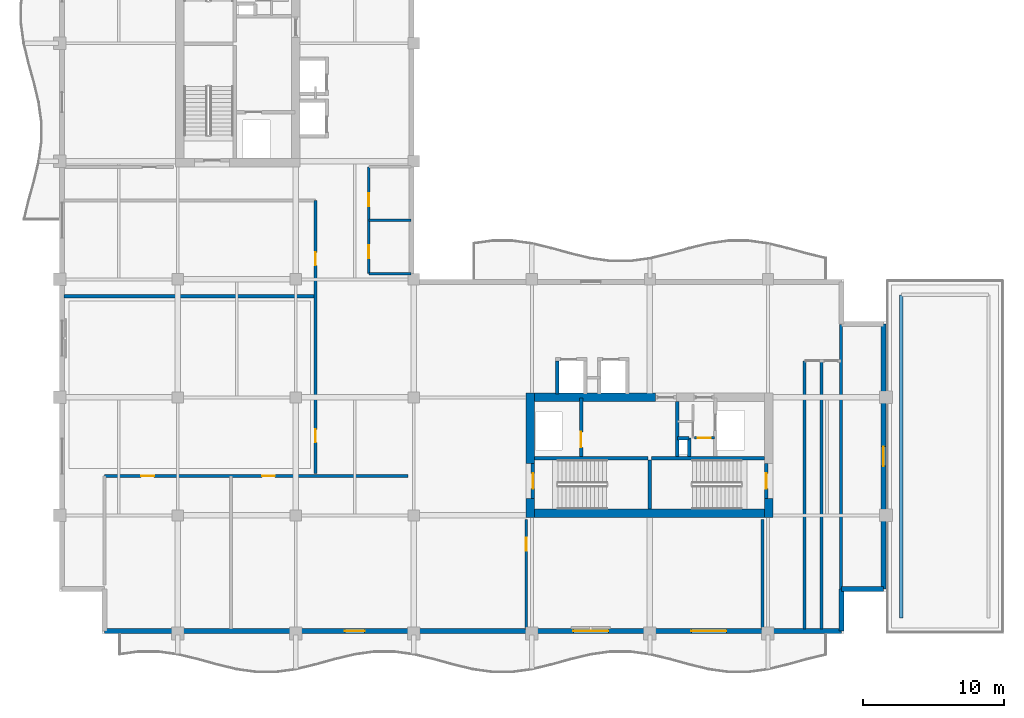
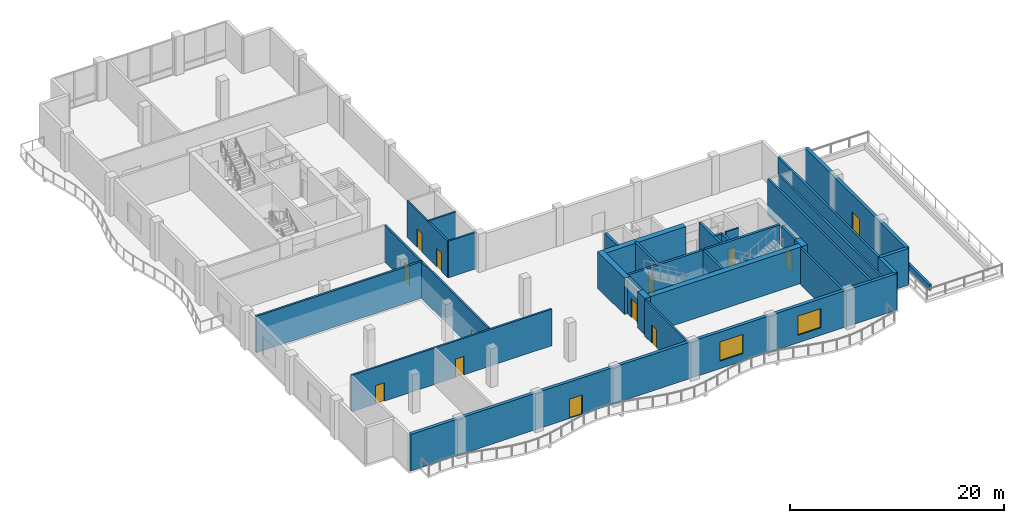
# One storey, part 6 of 16: 32 walls, 13 doors, 2 windows, 15 openings.
"""IFC4 building model written with IfcOpenShell, lengths in metres."""

from ifc_helpers import new_model, si_unit, direction, frame, frame_2d, origin, place, context, subcontext, project, spatial, rectangle, extrude, material, layer, layer_set, type_object, element, fill, save


model = new_model("IFC4")

# Units and contexts
model_context = context("Model", 3, precision=1e-05, world=origin(), true_north=direction((0.0, 1.0)))
body_context = subcontext(model_context, "Body", "Model", "MODEL_VIEW")
ifc_project = project(units=[si_unit("LENGTHUNIT", "METRE"), si_unit("AREAUNIT", "SQUARE_METRE"), si_unit("VOLUMEUNIT", "CUBIC_METRE"), si_unit("PLANEANGLEUNIT", "RADIAN"), si_unit("MASSUNIT", "GRAM", prefix="KILO")], contexts=[model_context])

# Site, building, storey
site_placement = place(None, origin())
site = spatial("IfcSite", under=ifc_project, at=site_placement, CompositionType="ELEMENT")
building_placement = place(site_placement, origin())
building = spatial("IfcBuilding", under=site, at=building_placement, Name="Koriwani Terraces Tower", CompositionType="ELEMENT")
storey_placement = place(building_placement, frame((0.0, 0.0, 286.0)))
storey = spatial("IfcBuildingStorey", under=building, at=storey_placement, Name="L71", CompositionType="ELEMENT", Elevation=286.0)

# Walls
ifc_material_1 = material(Name="Concrete C60/75", Category="concrete")
ifc_layer_1 = layer(ifc_material_1, 0.60009765625, Name="Concrete C60/75")
ifc_layer_set_1 = layer_set([ifc_layer_1], Name="Concrete C60/75")
wall_type_1 = type_object("IfcWallType", Name="WALL_CORE_RC_600", PredefinedType="SHEAR", material=ifc_layer_set_1)
wall_1_placement = place(storey_placement, frame((41.89990234375, 16.64990234375, 0.0), z_axis=(0.0, 0.0, 1.0), x_axis=(0.0, 1.0, 0.0)))
element("IfcWall", 1, at=wall_1_placement, inside=storey, type_object=wall_type_1, Name="L71 East Split Core Shear Wall W1", PredefinedType="SHEAR", context=body_context, shape_type="SweptSolid", body=[
    extrude(rectangle(XDim=1.35009765625, YDim=0.60009765625, at=frame_2d((0.675048828125, 0.0))), origin(), (0.0, 0.0, 1.0), 4.169921875),
])
wall_2_placement = place(storey_placement, frame((41.89990234375, 20.5, 0.0), z_axis=(0.0, 0.0, 1.0), x_axis=(0.0, 1.0, 0.0)))
element("IfcWall", 2, at=wall_2_placement, inside=storey, type_object=wall_type_1, Name="L71 East Split Core Shear Wall W2", PredefinedType="SHEAR", context=body_context, shape_type="SweptSolid", body=[
    extrude(rectangle(XDim=5.0, YDim=0.60009765625, at=frame_2d((2.5, 0.0))), origin(), (0.0, 0.0, 1.0), 4.169921875),
])
wall_3_placement = place(storey_placement, frame((58.85009765625, 16.64990234375, 0.0), z_axis=(0.0, 0.0, 1.0), x_axis=(0.0, 1.0, 0.0)))
element("IfcWall", 3, at=wall_3_placement, inside=storey, type_object=wall_type_1, Name="L71 East Split Core Shear Wall E1", PredefinedType="SHEAR", context=body_context, shape_type="SweptSolid", body=[
    extrude(rectangle(XDim=1.35009765625, YDim=0.60009765625, at=frame_2d((0.675048828125, 0.0))), origin(), (0.0, 0.0, 1.0), 4.169921875),
])
wall_4_placement = place(storey_placement, frame((42.199951171875, 16.949951171875, 0.0), z_axis=(0.0, 0.0, 1.0), x_axis=(1.0, 0.0, 0.0)))
element("IfcWall", 4, at=wall_4_placement, inside=storey, type_object=wall_type_1, Name="L71 East Split Core Shear Wall S1", PredefinedType="SHEAR", context=body_context, shape_type="SweptSolid", body=[
    extrude(rectangle(XDim=16.35009765625, YDim=0.60009765625, at=frame_2d((8.175048828125, 0.0))), origin(), (0.0, 0.0, 1.0), 4.169921875),
])
wall_5_placement = place(storey_placement, frame((42.199951171875, 25.199951171875, 0.0), z_axis=(0.0, 0.0, 1.0), x_axis=(1.0, 0.0, 0.0)))
element("IfcWall", 5, at=wall_5_placement, inside=storey, type_object=wall_type_1, Name="L71 East Split Core Shear Wall N1", PredefinedType="SHEAR", context=body_context, shape_type="SweptSolid", body=[
    extrude(rectangle(XDim=8.60009765625, YDim=0.60009765625, at=frame_2d((4.300048828125, 0.0))), origin(), (0.0, 0.0, 1.0), 4.169921875),
])

# Wall, opening, door
ifc_material_2 = material(Name="Autoclaved Cellular Concrete Blockwork", Category="masonry")
ifc_layer_2 = layer(ifc_material_2, 0.199951171875, Name="Autoclaved Cellular Concrete Blockwork")
ifc_layer_set_2 = layer_set([ifc_layer_2], Name="Autoclaved Cellular Concrete Blockwork")
wall_type_2 = type_object("IfcWallType", Name="WALL_CORRIDOR_200", PredefinedType="PARTITIONING", material=ifc_layer_set_2)
wall_6_placement = place(storey_placement, frame((41.60009765625, 8.699951171875, 0.0), z_axis=(0.0, 0.0, 1.0), x_axis=(0.0, 1.0, 0.0)))
wall_6 = element("IfcWall", 6, at=wall_6_placement, inside=storey, type_object=wall_type_2, Name="L71 Interior Wall WSKY-RECE1-L71", PredefinedType="PARTITIONING", context=body_context, shape_type="SweptSolid", body=[
    extrude(rectangle(XDim=7.800048828125, YDim=0.199951171875, at=frame_2d((3.89990234375, 0.0))), origin(), (0.0, 0.0, 1.0), 4.169921875),
])
opening_1_placement = place(wall_6_placement, frame((5.60009765625, 0.0, 0.0)))
opening_1 = element("IfcOpeningElement", 7, at=opening_1_placement, cuts=wall_6, Name="Opening D-06", PredefinedType="OPENING", context=body_context, shape_type="SweptSolid", body=[
    extrude(rectangle(XDim=0.919921875, YDim=2.10009765625, at=frame_2d((0.4599609375, 1.050048828125))), frame((0.0, 0.10986328125, 0.0), z_axis=(0.0, -1.0, 0.0), x_axis=(1.0, 0.0, 0.0)), (0.0, 0.0, 1.0), 0.219970703125),
])
ifc_material_3 = material(Name="Architectural Oak Fire Door", Category="wood")
door_type_1 = type_object("IfcDoorType", Name="DOOR_ROOM_INT_920X2100", OperationType="NOTDEFINED", PredefinedType="DOOR", material=ifc_material_3)
door_1_placement = place(opening_1_placement, origin())
door_1 = element("IfcDoor", 8, at=door_1_placement, inside=storey, type_object=door_type_1, Name="L71 VIP Tasting Salon Door", OperationType="SINGLE_SWING_RIGHT", OverallHeight=2.10009765625, OverallWidth=0.919921875, PredefinedType="DOOR", context=body_context, shape_type="SweptSolid", body=[
    extrude(rectangle(XDim=0.919921875, YDim=2.10009765625, at=frame_2d((0.4599609375, 1.050048828125))), frame((0.0, 0.02490234375, 0.0), z_axis=(0.0, -1.0, 0.0), x_axis=(1.0, 0.0, 0.0)), (0.0, 0.0, 1.0), 0.050048828125),
])
fill(opening_1, door_1)

# Wall, openings, doors
wall_7_placement = place(storey_placement, frame((11.60009765625, 19.60009765625, 0.0), z_axis=(0.0, 0.0, 1.0), x_axis=(1.0, 0.0, 0.0)))
wall_7 = element("IfcWall", 9, at=wall_7_placement, inside=storey, type_object=wall_type_2, Name="L71 Interior Wall WSKY-SPN-L71", PredefinedType="PARTITIONING", context=body_context, shape_type="SweptSolid", body=[
    extrude(rectangle(XDim=21.599853515625, YDim=0.199951171875, at=frame_2d((10.7998046875, 0.0))), origin(), (0.0, 0.0, 1.0), 4.169921875),
])
opening_2_placement = place(wall_7_placement, frame((2.60009765625, 0.0, 0.0)))
opening_2 = element("IfcOpeningElement", 10, at=opening_2_placement, cuts=wall_7, Name="Opening D-06", PredefinedType="OPENING", context=body_context, shape_type="SweptSolid", body=[
    extrude(rectangle(XDim=0.919921875, YDim=2.10009765625, at=frame_2d((0.4599609375, 1.050048828125))), frame((0.0, 0.10986328125, 0.0), z_axis=(0.0, -1.0, 0.0), x_axis=(1.0, 0.0, 0.0)), (0.0, 0.0, 1.0), 0.219970703125),
])
opening_3_placement = place(wall_7_placement, frame((11.199951171875, 0.0, 0.0)))
opening_3 = element("IfcOpeningElement", 11, at=opening_3_placement, cuts=wall_7, Name="Opening D-06", PredefinedType="OPENING", context=body_context, shape_type="SweptSolid", body=[
    extrude(rectangle(XDim=0.919921875, YDim=2.10009765625, at=frame_2d((0.4599609375, 1.050048828125))), frame((0.0, 0.10986328125, 0.0), z_axis=(0.0, -1.0, 0.0), x_axis=(1.0, 0.0, 0.0)), (0.0, 0.0, 1.0), 0.219970703125),
])
door_2_placement = place(opening_2_placement, origin())
door_2 = element("IfcDoor", 12, at=door_2_placement, inside=storey, type_object=door_type_1, Name="L71 Sky Spa Salon Door", OperationType="SINGLE_SWING_LEFT", OverallHeight=2.10009765625, OverallWidth=0.919921875, PredefinedType="DOOR", context=body_context, shape_type="SweptSolid", body=[
    extrude(rectangle(XDim=0.919921875, YDim=2.10009765625, at=frame_2d((0.4599609375, 1.050048828125))), frame((0.0, 0.02490234375, 0.0), z_axis=(0.0, -1.0, 0.0), x_axis=(1.0, 0.0, 0.0)), (0.0, 0.0, 1.0), 0.050048828125),
])
fill(opening_2, door_2)
door_3_placement = place(opening_3_placement, origin())
door_3 = element("IfcDoor", 13, at=door_3_placement, inside=storey, type_object=door_type_1, Name="L71 Sommelier Kitchen Door", OperationType="SINGLE_SWING_RIGHT", OverallHeight=2.10009765625, OverallWidth=0.919921875, PredefinedType="DOOR", context=body_context, shape_type="SweptSolid", body=[
    extrude(rectangle(XDim=0.919921875, YDim=2.10009765625, at=frame_2d((0.4599609375, 1.050048828125))), frame((0.0, 0.02490234375, 0.0), z_axis=(0.0, -1.0, 0.0), x_axis=(1.0, 0.0, 0.0)), (0.0, 0.0, 1.0), 0.050048828125),
])
fill(opening_3, door_3)

wall_8_placement = place(storey_placement, frame((26.60009765625, 19.800048828125, 0.0), z_axis=(0.0, 0.0, 1.0), x_axis=(0.0, 1.0, 0.0)))
wall_8 = element("IfcWall", 14, at=wall_8_placement, inside=storey, type_object=wall_type_2, Name="L71 Interior Wall WSKY-WME-L71", PredefinedType="PARTITIONING", context=body_context, shape_type="SweptSolid", body=[
    extrude(rectangle(XDim=19.39990234375, YDim=0.199951171875, at=frame_2d((9.699951171875, 0.0))), origin(), (0.0, 0.0, 1.0), 4.169921875),
])
opening_4_placement = place(wall_8_placement, frame((2.199951171875, 0.0, 0.0)))
opening_4 = element("IfcOpeningElement", 15, at=opening_4_placement, cuts=wall_8, Name="Opening D-06", PredefinedType="OPENING", context=body_context, shape_type="SweptSolid", body=[
    extrude(rectangle(XDim=0.919921875, YDim=2.10009765625, at=frame_2d((0.4599609375, 1.050048828125))), frame((0.0, 0.10986328125, 0.0), z_axis=(0.0, -1.0, 0.0), x_axis=(1.0, 0.0, 0.0)), (0.0, 0.0, 1.0), 0.219970703125),
])
opening_5_placement = place(wall_8_placement, frame((14.800048828125, 0.0, 0.0)))
opening_5 = element("IfcOpeningElement", 16, at=opening_5_placement, cuts=wall_8, Name="Opening D-06", PredefinedType="OPENING", context=body_context, shape_type="SweptSolid", body=[
    extrude(rectangle(XDim=0.919921875, YDim=2.10009765625, at=frame_2d((0.4599609375, 1.050048828125))), frame((0.0, 0.10986328125, 0.0), z_axis=(0.0, -1.0, 0.0), x_axis=(1.0, 0.0, 0.0)), (0.0, 0.0, 1.0), 0.219970703125),
])
door_4_placement = place(opening_4_placement, origin())
door_4 = element("IfcDoor", 17, at=door_4_placement, inside=storey, type_object=door_type_1, Name="L71 Screening Room Door", OperationType="SINGLE_SWING_LEFT", OverallHeight=2.10009765625, OverallWidth=0.919921875, PredefinedType="DOOR", context=body_context, shape_type="SweptSolid", body=[
    extrude(rectangle(XDim=0.919921875, YDim=2.10009765625, at=frame_2d((0.4599609375, 1.050048828125))), frame((0.0, 0.02490234375, 0.0), z_axis=(0.0, -1.0, 0.0), x_axis=(1.0, 0.0, 0.0)), (0.0, 0.0, 1.0), 0.050048828125),
])
fill(opening_4, door_4)
door_5_placement = place(opening_5_placement, origin())
door_5 = element("IfcDoor", 18, at=door_5_placement, inside=storey, type_object=door_type_1, Name="L71 Study Library Door", OperationType="SINGLE_SWING_RIGHT", OverallHeight=2.10009765625, OverallWidth=0.919921875, PredefinedType="DOOR", context=body_context, shape_type="SweptSolid", body=[
    extrude(rectangle(XDim=0.919921875, YDim=2.10009765625, at=frame_2d((0.4599609375, 1.050048828125))), frame((0.0, 0.02490234375, 0.0), z_axis=(0.0, -1.0, 0.0), x_axis=(1.0, 0.0, 0.0)), (0.0, 0.0, 1.0), 0.050048828125),
])
fill(opening_5, door_5)

# Walls
ifc_layer_3 = layer(ifc_material_2, 0.219970703125, Name="Autoclaved Cellular Concrete Blockwork")
ifc_layer_set_3 = layer_set([ifc_layer_3], Name="Autoclaved Cellular Concrete Blockwork")
wall_type_3 = type_object("IfcWallType", Name="WALL_DEMISING_220", PredefinedType="PARTITIONING", material=ifc_layer_set_3)
wall_9_placement = place(storey_placement, frame((58.39990234375, 8.699951171875, 0.0), z_axis=(0.0, 0.0, 1.0), x_axis=(0.0, 1.0, 0.0)))
element("IfcWall", 19, at=wall_9_placement, inside=storey, type_object=wall_type_3, Name="L71 Interior Wall WSKY-RECE2-L71", PredefinedType="PARTITIONING", context=body_context, shape_type="SweptSolid", body=[
    extrude(rectangle(XDim=7.800048828125, YDim=0.219970703125, at=frame_2d((3.89990234375, 0.0))), origin(), (0.0, 0.0, 1.0), 4.169921875),
])
wall_10_placement = place(storey_placement, frame((8.699951171875, 32.39990234375, 0.0), z_axis=(0.0, 0.0, 1.0), x_axis=(1.0, 0.0, 0.0)))
element("IfcWall", 20, at=wall_10_placement, inside=storey, type_object=wall_type_3, Name="L71 Interior Wall WSKY-WMM-L71", PredefinedType="PARTITIONING", context=body_context, shape_type="SweptSolid", body=[
    extrude(rectangle(XDim=17.900146484375, YDim=0.219970703125, at=frame_2d((8.9501953125, 0.0))), origin(), (0.0, 0.0, 1.0), 4.169921875),
])
wall_11_placement = place(storey_placement, frame((61.39990234375, 8.699951171875, 0.0), z_axis=(0.0, 0.0, 1.0), x_axis=(0.0, 1.0, 0.0)))
element("IfcWall", 21, at=wall_11_placement, inside=storey, type_object=wall_type_3, Name="L71 Interior Wall WSKY-EW-L71", PredefinedType="PARTITIONING", context=body_context, shape_type="SweptSolid", body=[
    extrude(rectangle(XDim=19.10009765625, YDim=0.219970703125, at=frame_2d((9.550048828125, 0.0))), origin(), (0.0, 0.0, 1.0), 4.169921875),
])
wall_12_placement = place(storey_placement, frame((64.0, 11.39990234375, 0.0), z_axis=(0.0, 0.0, 1.0), x_axis=(0.0, 1.0, 0.0)))
element("IfcWall", 22, at=wall_12_placement, inside=storey, type_object=wall_type_3, Name="L71 Interior Wall WSKY-EE-L71", PredefinedType="PARTITIONING", context=body_context, shape_type="SweptSolid", body=[
    extrude(rectangle(XDim=19.0, YDim=0.219970703125, at=frame_2d((9.5, 0.0))), origin(), (0.0, 0.0, 1.0), 4.169921875),
])
wall_13_placement = place(storey_placement, frame((62.60009765625, 8.699951171875, 0.0), z_axis=(0.0, 0.0, 1.0), x_axis=(0.0, 1.0, 0.0)))
element("IfcWall", 23, at=wall_13_placement, inside=storey, type_object=wall_type_3, Name="L71 Interior Wall WSKY-EDIV-L71", PredefinedType="PARTITIONING", context=body_context, shape_type="SweptSolid", body=[
    extrude(rectangle(XDim=19.10009765625, YDim=0.219970703125, at=frame_2d((9.550048828125, 0.0))), origin(), (0.0, 0.0, 1.0), 4.169921875),
])

# Wall, opening, door
ifc_material_4 = material(Name="Concrete C50/60", Category="concrete")
ifc_layer_4 = layer(ifc_material_4, 0.35009765625, Name="Concrete C50/60")
ifc_layer_set_4 = layer_set([ifc_layer_4], Name="Concrete C50/60")
wall_type_4 = type_object("IfcWallType", Name="WALL_EXT_BRUTALIST_350", PredefinedType="STANDARD", material=ifc_layer_set_4)
wall_14_placement = place(storey_placement, frame((67.02490234375, 30.425048828125, 0.0), z_axis=(0.0, 0.0, 1.0), x_axis=(0.0, -1.0, 0.0)))
wall_14 = element("IfcWall", 24, at=wall_14_placement, inside=storey, type_object=wall_type_4, Name="L71 Fair-Faced Brutalist Exterior Wall (E_TIP)", PredefinedType="STANDARD", context=body_context, shape_type="SweptSolid", body=[
    extrude(rectangle(XDim=18.85009765625, YDim=0.35009765625, at=frame_2d((9.425048828125, 0.0))), origin(), (0.0, 0.0, 1.0), 4.169921875),
])
opening_6_placement = place(wall_14_placement, frame((8.72509765625, 0.0, 0.0)))
opening_6 = element("IfcOpeningElement", 25, at=opening_6_placement, cuts=wall_14, Name="Opening D-09", PredefinedType="OPENING", context=body_context, shape_type="SweptSolid", body=[
    extrude(rectangle(XDim=1.39990234375, YDim=2.199951171875, at=frame_2d((0.699951171875, 1.10009765625))), frame((0.0, 0.18505859375, 0.0), z_axis=(0.0, -1.0, 0.0), x_axis=(1.0, 0.0, 0.0)), (0.0, 0.0, 1.0), 0.3701171875),
])
ifc_material_5 = material(Name="Anodised Bronze Aluminium", Category="aluminium")
door_type_2 = type_object("IfcDoorType", Name="DOOR_BALCONY_GLAZED_1400X2200", OperationType="NOTDEFINED", PredefinedType="DOOR", material=ifc_material_5)
door_6_placement = place(opening_6_placement, origin())
door_6 = element("IfcDoor", 26, at=door_6_placement, inside=storey, type_object=door_type_2, Name="L71 Upper Sky-Garden Terrace Door", OperationType="SINGLE_SWING_LEFT", OverallHeight=2.199951171875, OverallWidth=1.39990234375, PredefinedType="DOOR", context=body_context, shape_type="SweptSolid", body=[
    extrude(rectangle(XDim=1.39990234375, YDim=2.199951171875, at=frame_2d((0.699951171875, 1.10009765625))), frame((0.0, 0.02490234375, 0.0), z_axis=(0.0, -1.0, 0.0), x_axis=(1.0, 0.0, 0.0)), (0.0, 0.0, 1.0), 0.050048828125),
])
fill(opening_6, door_6)

# Walls
for number, where, z_axis, x_axis, name in (
    (27, (67.02490234375, 11.574951171875, 0.0), (0.0, 0.0, 1.0), (-1.0, 0.0, 0.0), "L71 Fair-Faced Brutalist Exterior Wall (N13)"),
    (28, (64.02490234375, 11.574951171875, 0.0), (0.0, 0.0, 1.0), (0.0, -1.0, 0.0), "L71 Fair-Faced Brutalist Exterior Wall (N14)"),
):
    element("IfcWall", number, at=place(storey_placement, frame(where, z_axis=z_axis, x_axis=x_axis)), inside=storey, type_object=wall_type_4, Name=name, PredefinedType="STANDARD", context=body_context, shape_type="SweptSolid", body=[
        extrude(rectangle(XDim=3.0, YDim=0.35009765625, at=frame_2d((1.5, 0.0))), origin(), (0.0, 0.0, 1.0), 4.169921875),
    ])

# Wall, openings, door, windows
wall_15_placement = place(storey_placement, frame((64.02490234375, 8.574951171875, 0.0), z_axis=(0.0, 0.0, 1.0), x_axis=(-1.0, 0.0, 0.0)))
wall_15 = element("IfcWall", 29, at=wall_15_placement, inside=storey, type_object=wall_type_4, Name="L71 Fair-Faced Brutalist Exterior Wall (S)", PredefinedType="STANDARD", context=body_context, shape_type="SweptSolid", body=[
    extrude(rectangle(XDim=52.449951171875, YDim=0.35009765625, at=frame_2d((26.22509765625, 0.0))), origin(), (0.0, 0.0, 1.0), 4.169921875),
])
opening_7_placement = place(wall_15_placement, frame((33.925048828125, 0.0, 0.0)))
opening_7 = element("IfcOpeningElement", 30, at=opening_7_placement, cuts=wall_15, Name="Opening D-09", PredefinedType="OPENING", context=body_context, shape_type="SweptSolid", body=[
    extrude(rectangle(XDim=1.39990234375, YDim=2.199951171875, at=frame_2d((0.699951171875, 1.10009765625))), frame((0.0, 0.18505859375, 0.0), z_axis=(0.0, -1.0, 0.0), x_axis=(1.0, 0.0, 0.0)), (0.0, 0.0, 1.0), 0.3701171875),
])
opening_8_placement = place(wall_15_placement, frame((16.574951171875, 0.0, 0.85009765625)))
opening_8 = element("IfcOpeningElement", 31, at=opening_8_placement, cuts=wall_15, Name="Opening W-07", PredefinedType="OPENING", context=body_context, shape_type="SweptSolid", body=[
    extrude(rectangle(XDim=2.5, YDim=2.199951171875, at=frame_2d((1.25, 1.10009765625))), frame((0.0, 0.18505859375, 0.0), z_axis=(0.0, -1.0, 0.0), x_axis=(1.0, 0.0, 0.0)), (0.0, 0.0, 1.0), 0.3701171875),
])
opening_9_placement = place(wall_15_placement, frame((8.175048828125, 0.0, 0.85009765625)))
opening_9 = element("IfcOpeningElement", 32, at=opening_9_placement, cuts=wall_15, Name="Opening W-07", PredefinedType="OPENING", context=body_context, shape_type="SweptSolid", body=[
    extrude(rectangle(XDim=2.5, YDim=2.199951171875, at=frame_2d((1.25, 1.10009765625))), frame((0.0, 0.18505859375, 0.0), z_axis=(0.0, -1.0, 0.0), x_axis=(1.0, 0.0, 0.0)), (0.0, 0.0, 1.0), 0.3701171875),
])
door_7_placement = place(opening_7_placement, origin())
door_7 = element("IfcDoor", 33, at=door_7_placement, inside=storey, type_object=door_type_2, Name="L71 South Balcony Glazed Door", OperationType="SINGLE_SWING_LEFT", OverallHeight=2.199951171875, OverallWidth=1.39990234375, PredefinedType="DOOR", context=body_context, shape_type="SweptSolid", body=[
    extrude(rectangle(XDim=1.39990234375, YDim=2.199951171875, at=frame_2d((0.699951171875, 1.10009765625))), frame((0.0, 0.02490234375, 0.0), z_axis=(0.0, -1.0, 0.0), x_axis=(1.0, 0.0, 0.0)), (0.0, 0.0, 1.0), 0.050048828125),
])
fill(opening_7, door_7)
ifc_material_6 = material(Name="Tempered Laminated Low-E Glass", Category="glass")
window_type = type_object("IfcWindowType", Name="WIN_SKY_LOUNGE_2500X2200", PartitioningType="SINGLE_PANEL", PredefinedType="WINDOW", material=ifc_material_6)
window_1_placement = place(opening_8_placement, origin())
window_1 = element("IfcWindow", 34, at=window_1_placement, inside=storey, type_object=window_type, Name="L71 Exterior Window (S-12)", OverallHeight=2.199951171875, OverallWidth=2.5, PartitioningType="SINGLE_PANEL", PredefinedType="WINDOW", context=body_context, shape_type="SweptSolid", body=[
    extrude(rectangle(XDim=2.5, YDim=2.199951171875, at=frame_2d((1.25, 1.10009765625))), frame((0.0, 0.030029296875, 0.0), z_axis=(0.0, -1.0, 0.0), x_axis=(1.0, 0.0, 0.0)), (0.0, 0.0, 1.0), 0.06005859375),
])
fill(opening_8, window_1)
window_2_placement = place(opening_9_placement, origin())
window_2 = element("IfcWindow", 35, at=window_2_placement, inside=storey, type_object=window_type, Name="L71 Exterior Window (S-15)", OverallHeight=2.199951171875, OverallWidth=2.5, PartitioningType="SINGLE_PANEL", PredefinedType="WINDOW", context=body_context, shape_type="SweptSolid", body=[
    extrude(rectangle(XDim=2.5, YDim=2.199951171875, at=frame_2d((1.25, 1.10009765625))), frame((0.0, 0.030029296875, 0.0), z_axis=(0.0, -1.0, 0.0), x_axis=(1.0, 0.0, 0.0)), (0.0, 0.0, 1.0), 0.06005859375),
])
fill(opening_9, window_2)

# Wall, openings, doors
ifc_material_7 = material(Name="Fire-Rated Acoustic Gypsum Partition", Category="masonry")
ifc_layer_5 = layer(ifc_material_7, 0.179931640625, Name="Fire-Rated Acoustic Gypsum Partition")
ifc_layer_set_5 = layer_set([ifc_layer_5], Name="Fire-Rated Acoustic Gypsum Partition")
wall_type_5 = type_object("IfcWallType", Name="WALL_PLUMBING_180", PredefinedType="PLUMBINGWALL", material=ifc_layer_set_5)
wall_16_placement = place(storey_placement, frame((30.39990234375, 34.0, 0.0), z_axis=(0.0, 0.0, 1.0), x_axis=(0.0, 1.0, 0.0)))
wall_16 = element("IfcWall", 36, at=wall_16_placement, inside=storey, type_object=wall_type_5, Name="L71 Interior Wall WSKY-WC-L71", PredefinedType="PLUMBINGWALL", context=body_context, shape_type="SweptSolid", body=[
    extrude(rectangle(XDim=7.60009765625, YDim=0.179931640625, at=frame_2d((3.800048828125, 0.0))), origin(), (0.0, 0.0, 1.0), 4.169921875),
])
opening_10_placement = place(wall_16_placement, frame((1.10009765625, 0.0, 0.0)))
opening_10 = element("IfcOpeningElement", 37, at=opening_10_placement, cuts=wall_16, Name="Opening D-06", PredefinedType="OPENING", context=body_context, shape_type="SweptSolid", body=[
    extrude(rectangle(XDim=0.919921875, YDim=2.10009765625, at=frame_2d((0.4599609375, 1.050048828125))), frame((0.0, 0.10009765625, 0.0), z_axis=(0.0, -1.0, 0.0), x_axis=(1.0, 0.0, 0.0)), (0.0, 0.0, 1.0), 0.199951171875),
])
opening_11_placement = place(wall_16_placement, frame((4.800048828125, 0.0, 0.0)))
opening_11 = element("IfcOpeningElement", 38, at=opening_11_placement, cuts=wall_16, Name="Opening D-06", PredefinedType="OPENING", context=body_context, shape_type="SweptSolid", body=[
    extrude(rectangle(XDim=0.919921875, YDim=2.10009765625, at=frame_2d((0.4599609375, 1.050048828125))), frame((0.0, 0.10009765625, 0.0), z_axis=(0.0, -1.0, 0.0), x_axis=(1.0, 0.0, 0.0)), (0.0, 0.0, 1.0), 0.199951171875),
])
door_8_placement = place(opening_10_placement, origin())
door_8 = element("IfcDoor", 39, at=door_8_placement, inside=storey, type_object=door_type_1, Name="L71 Sky Lobby Restroom WC Door", OperationType="SINGLE_SWING_LEFT", OverallHeight=2.10009765625, OverallWidth=0.919921875, PredefinedType="DOOR", context=body_context, shape_type="SweptSolid", body=[
    extrude(rectangle(XDim=0.919921875, YDim=2.10009765625, at=frame_2d((0.4599609375, 1.050048828125))), frame((0.0, 0.02490234375, 0.0), z_axis=(0.0, -1.0, 0.0), x_axis=(1.0, 0.0, 0.0)), (0.0, 0.0, 1.0), 0.050048828125),
])
fill(opening_10, door_8)
door_9_placement = place(opening_11_placement, origin())
door_9 = element("IfcDoor", 40, at=door_9_placement, inside=storey, type_object=door_type_1, Name="L71 Sky Lobby Accessible WC Door", OperationType="SINGLE_SWING_RIGHT", OverallHeight=2.10009765625, OverallWidth=0.919921875, PredefinedType="DOOR", context=body_context, shape_type="SweptSolid", body=[
    extrude(rectangle(XDim=0.919921875, YDim=2.10009765625, at=frame_2d((0.4599609375, 1.050048828125))), frame((0.0, 0.02490234375, 0.0), z_axis=(0.0, -1.0, 0.0), x_axis=(1.0, 0.0, 0.0)), (0.0, 0.0, 1.0), 0.050048828125),
])
fill(opening_11, door_9)

# Walls
for number, where, z_axis, x_axis, name in (
    (41, (30.39990234375, 34.0, 0.0), (0.0, 0.0, 1.0), (1.0, 0.0, 0.0), "L71 Interior Wall WSKY-WCS-L71"),
    (42, (30.39990234375, 37.800048828125, 0.0), (0.0, 0.0, 1.0), (1.0, 0.0, 0.0), "L71 Interior Wall WSKY-WCM-L71"),
):
    element("IfcWall", number, at=place(storey_placement, frame(where, z_axis=z_axis, x_axis=x_axis)), inside=storey, type_object=wall_type_5, Name=name, PredefinedType="PLUMBINGWALL", context=body_context, shape_type="SweptSolid", body=[
        extrude(rectangle(XDim=3.0, YDim=0.179931640625, at=frame_2d((1.5, 0.0))), origin(), (0.0, 0.0, 1.0), 4.169921875),
    ])
ifc_material_8 = material(Name="Concrete C40/50", Category="concrete")
ifc_layer_6 = layer(ifc_material_8, 0.25, Name="Concrete C40/50")
ifc_layer_set_6 = layer_set([ifc_layer_6], Name="Concrete C40/50")
wall_type_6 = type_object("IfcWallType", Name="WALL_SHAFT_RATED_250", PredefinedType="SOLIDWALL", material=ifc_layer_set_6)
for number, where, z_axis, x_axis, name in (
    (43, (42.199951171875, 20.875, 0.0), (0.0, 0.0, 1.0), (1.0, 0.0, 0.0), "L71 East Split Core Web Wall MID1"),
    (44, (50.5, 20.875, 0.0), (0.0, 0.0, 1.0), (1.0, 0.0, 0.0), "L71 East Split Core Web Wall MID2"),
):
    element("IfcWall", number, at=place(storey_placement, frame(where, z_axis=z_axis, x_axis=x_axis)), inside=storey, type_object=wall_type_6, Name=name, PredefinedType="SOLIDWALL", context=body_context, shape_type="SweptSolid", body=[
        extrude(rectangle(XDim=8.050048828125, YDim=0.25, at=frame_2d((4.02490234375, 0.0))), origin(), (0.0, 0.0, 1.0), 4.169921875),
    ])
wall_17_placement = place(storey_placement, frame((50.375, 17.25, 0.0), z_axis=(0.0, 0.0, 1.0), x_axis=(0.0, 1.0, 0.0)))
element("IfcWall", 45, at=wall_17_placement, inside=storey, type_object=wall_type_6, Name="L71 East Split Core Stair Dividing Wall", PredefinedType="SOLIDWALL", context=body_context, shape_type="SweptSolid", body=[
    extrude(rectangle(XDim=3.5, YDim=0.25, at=frame_2d((1.75, 0.0))), origin(), (0.0, 0.0, 1.0), 4.169921875),
])

# Wall, opening, door
wall_18_placement = place(storey_placement, frame((42.074951171875, 18.0, 0.0), z_axis=(0.0, 0.0, 1.0), x_axis=(0.0, 1.0, 0.0)))
wall_18 = element("IfcWall", 46, at=wall_18_placement, inside=storey, type_object=wall_type_6, Name="L71 Interior Wall WIN-CE-L71-STW", PredefinedType="SOLIDWALL", context=body_context, shape_type="SweptSolid", body=[
    extrude(rectangle(XDim=2.5, YDim=0.25, at=frame_2d((1.25, 0.0))), origin(), (0.0, 0.0, 1.0), 4.169921875),
])
opening_12_placement = place(wall_18_placement, frame((0.699951171875, 0.0, 0.0)))
opening_12 = element("IfcOpeningElement", 47, at=opening_12_placement, cuts=wall_18, Name="Opening D-03", PredefinedType="OPENING", context=body_context, shape_type="SweptSolid", body=[
    extrude(rectangle(XDim=1.10009765625, YDim=2.14990234375, at=frame_2d((0.550048828125, 1.074951171875))), frame((0.0, 0.135009765625, 0.0), z_axis=(0.0, -1.0, 0.0), x_axis=(1.0, 0.0, 0.0)), (0.0, 0.0, 1.0), 0.27001953125),
])
ifc_material_9 = material(Name="Steel ASTM A572 Grade 50", Category="steel")
door_type_3 = type_object("IfcDoorType", Name="DOOR_STAIR_FIRE_1100X2150", OperationType="NOTDEFINED", PredefinedType="DOOR", material=ifc_material_9)
door_10_placement = place(opening_12_placement, origin())
door_10 = element("IfcDoor", 48, at=door_10_placement, inside=storey, type_object=door_type_3, Name="L71 Exit Stair ST-E1 Door", OperationType="SINGLE_SWING_RIGHT", OverallHeight=2.14990234375, OverallWidth=1.10009765625, PredefinedType="DOOR", context=body_context, shape_type="SweptSolid", body=[
    extrude(rectangle(XDim=1.10009765625, YDim=2.14990234375, at=frame_2d((0.550048828125, 1.074951171875))), frame((0.0, 0.02490234375, 0.0), z_axis=(0.0, -1.0, 0.0), x_axis=(1.0, 0.0, 0.0)), (0.0, 0.0, 1.0), 0.050048828125),
])
fill(opening_12, door_10)

wall_19_placement = place(storey_placement, frame((58.675048828125, 18.0, 0.0), z_axis=(0.0, 0.0, 1.0), x_axis=(0.0, 1.0, 0.0)))
wall_19 = element("IfcWall", 49, at=wall_19_placement, inside=storey, type_object=wall_type_6, Name="L71 Interior Wall WIN-CE-L71-STE", PredefinedType="SOLIDWALL", context=body_context, shape_type="SweptSolid", body=[
    extrude(rectangle(XDim=2.5, YDim=0.25, at=frame_2d((1.25, 0.0))), origin(), (0.0, 0.0, 1.0), 4.169921875),
])
opening_13_placement = place(wall_19_placement, frame((0.699951171875, 0.0, 0.0)))
opening_13 = element("IfcOpeningElement", 50, at=opening_13_placement, cuts=wall_19, Name="Opening D-03", PredefinedType="OPENING", context=body_context, shape_type="SweptSolid", body=[
    extrude(rectangle(XDim=1.10009765625, YDim=2.14990234375, at=frame_2d((0.550048828125, 1.074951171875))), frame((0.0, 0.135009765625, 0.0), z_axis=(0.0, -1.0, 0.0), x_axis=(1.0, 0.0, 0.0)), (0.0, 0.0, 1.0), 0.27001953125),
])
door_11_placement = place(opening_13_placement, origin())
door_11 = element("IfcDoor", 51, at=door_11_placement, inside=storey, type_object=door_type_3, Name="L71 Exit Stair ST-E2 Door", OperationType="SINGLE_SWING_LEFT", OverallHeight=2.14990234375, OverallWidth=1.10009765625, PredefinedType="DOOR", context=body_context, shape_type="SweptSolid", body=[
    extrude(rectangle(XDim=1.10009765625, YDim=2.14990234375, at=frame_2d((0.550048828125, 1.074951171875))), frame((0.0, 0.02490234375, 0.0), z_axis=(0.0, -1.0, 0.0), x_axis=(1.0, 0.0, 0.0)), (0.0, 0.0, 1.0), 0.050048828125),
])
fill(opening_13, door_11)

wall_20_placement = place(storey_placement, frame((45.5, 21.0, 0.0), z_axis=(0.0, 0.0, 1.0), x_axis=(0.0, 1.0, 0.0)))
wall_20 = element("IfcWall", 52, at=wall_20_placement, inside=storey, type_object=wall_type_6, Name="L71 Interior Wall WIN-CE-L71-FE", PredefinedType="SOLIDWALL", context=body_context, shape_type="SweptSolid", body=[
    extrude(rectangle(XDim=4.14990234375, YDim=0.25, at=frame_2d((2.074951171875, 0.0))), origin(), (0.0, 0.0, 1.0), 4.169921875),
])
opening_14_placement = place(wall_20_placement, frame((0.64990234375, 0.0, 0.0)))
opening_14 = element("IfcOpeningElement", 53, at=opening_14_placement, cuts=wall_20, Name="Opening LD-01", PredefinedType="OPENING", context=body_context, shape_type="SweptSolid", body=[
    extrude(rectangle(XDim=1.10009765625, YDim=2.14990234375, at=frame_2d((0.550048828125, 1.074951171875))), frame((0.0, 0.135009765625, 0.0), z_axis=(0.0, -1.0, 0.0), x_axis=(1.0, 0.0, 0.0)), (0.0, 0.0, 1.0), 0.27001953125),
])
door_type_4 = type_object("IfcDoorType", Name="DOOR_LIFT_LANDING_1100X2200", OperationType="NOTDEFINED", PredefinedType="DOOR", material=ifc_material_9)
door_12_placement = place(opening_14_placement, origin())
door_12 = element("IfcDoor", 54, at=door_12_placement, inside=storey, type_object=door_type_4, Name="L71 Firefighting Lift FE-02 Landing Door", OperationType="SLIDING_TO_LEFT", OverallHeight=2.14990234375, OverallWidth=1.10009765625, PredefinedType="DOOR", context=body_context, shape_type="SweptSolid", body=[
    extrude(rectangle(XDim=1.10009765625, YDim=2.14990234375, at=frame_2d((0.550048828125, 1.074951171875))), frame((0.0, 0.02490234375, 0.0), z_axis=(0.0, -1.0, 0.0), x_axis=(1.0, 0.0, 0.0)), (0.0, 0.0, 1.0), 0.050048828125),
])
fill(opening_14, door_12)

# Walls
wall_21_placement = place(storey_placement, frame((52.340087890625, 21.0, 0.0), z_axis=(0.0, 0.0, 1.0), x_axis=(0.0, 1.0, 0.0)))
element("IfcWall", 55, at=wall_21_placement, inside=storey, type_object=wall_type_6, Name="L71 Interior Wall WIN-CE-L71-FFE", PredefinedType="SOLIDWALL", context=body_context, shape_type="SweptSolid", body=[
    extrude(rectangle(XDim=3.89990234375, YDim=0.25, at=frame_2d((1.949951171875, 0.0))), origin(), (0.0, 0.0, 1.0), 4.169921875),
])
wall_22_placement = place(storey_placement, frame((53.199951171875, 21.0, 0.0), z_axis=(0.0, 0.0, 1.0), x_axis=(0.0, 1.0, 0.0)))
element("IfcWall", 56, at=wall_22_placement, inside=storey, type_object=wall_type_6, Name="L71 Interior Wall WIN-CE-L71-RS1", PredefinedType="SOLIDWALL", context=body_context, shape_type="SweptSolid", body=[
    extrude(rectangle(XDim=1.300048828125, YDim=0.25, at=frame_2d((0.64990234375, 0.0))), origin(), (0.0, 0.0, 1.0), 4.169921875),
])
wall_23_placement = place(storey_placement, frame((52.360107421875, 22.300048828125, 0.0), z_axis=(0.0, 0.0, 1.0), x_axis=(1.0, 0.0, 0.0)))
element("IfcWall", 57, at=wall_23_placement, inside=storey, type_object=wall_type_6, Name="L71 Interior Wall WIN-CE-L71-RS2", PredefinedType="SOLIDWALL", context=body_context, shape_type="SweptSolid", body=[
    extrude(rectangle(XDim=0.83984375, YDim=0.25, at=frame_2d((0.419921875, 0.0))), origin(), (0.0, 0.0, 1.0), 4.169921875),
])
wall_24_placement = place(storey_placement, frame((43.800048828125, 25.449951171875, 0.0), z_axis=(0.0, 0.0, 1.0), x_axis=(0.0, 1.0, 0.0)))
element("IfcWall", 58, at=wall_24_placement, inside=storey, type_object=wall_type_6, Name="L71 Interior Wall WIN-LF-PE-H3-L71-W", PredefinedType="SOLIDWALL", context=body_context, shape_type="SweptSolid", body=[
    extrude(rectangle(XDim=2.324951171875, YDim=0.25, at=frame_2d((1.16259765625, 0.0))), origin(), (0.0, 0.0, 1.0), 4.169921875),
])

# Wall, opening, door
ifc_layer_7 = layer(ifc_material_7, 0.159912109375, Name="Fire-Rated Acoustic Gypsum Partition")
ifc_layer_set_7 = layer_set([ifc_layer_7], Name="Fire-Rated Acoustic Gypsum Partition")
wall_type_7 = type_object("IfcWallType", Name="WALL_SUITE_160", PredefinedType="PARTITIONING", material=ifc_layer_set_7)
wall_25_placement = place(storey_placement, frame((53.56005859375, 22.320068359375, 0.0), z_axis=(0.0, 0.0, 1.0), x_axis=(1.0, 0.0, 0.0)))
wall_25 = element("IfcWall", 59, at=wall_25_placement, inside=storey, type_object=wall_type_7, Name="L71 Interior Wall WIN-CE-L71-SV2A", PredefinedType="PARTITIONING", context=body_context, shape_type="SweptSolid", body=[
    extrude(rectangle(XDim=1.43994140625, YDim=0.159912109375, at=frame_2d((0.719970703125, 0.0))), origin(), (0.0, 0.0, 1.0), 4.169921875),
])
opening_15_placement = place(wall_25_placement, frame((0.260009765625, 0.0, 0.0)))
opening_15 = element("IfcOpeningElement", 60, at=opening_15_placement, cuts=wall_25, Name="Opening D-07", PredefinedType="OPENING", context=body_context, shape_type="SweptSolid", body=[
    extrude(rectangle(XDim=0.89990234375, YDim=2.10009765625, at=frame_2d((0.449951171875, 1.050048828125))), frame((0.0, 0.08984375, 0.0), z_axis=(0.0, -1.0, 0.0), x_axis=(1.0, 0.0, 0.0)), (0.0, 0.0, 1.0), 0.179931640625),
])
door_type_5 = type_object("IfcDoorType", Name="DOOR_BATH_INT_900X2100", OperationType="NOTDEFINED", PredefinedType="DOOR", material=ifc_material_3)
door_13_placement = place(opening_15_placement, origin())
door_13 = element("IfcDoor", 61, at=door_13_placement, inside=storey, type_object=door_type_5, Name="L71 East Meter Room Door", OperationType="SINGLE_SWING_RIGHT", OverallHeight=2.10009765625, OverallWidth=0.89990234375, PredefinedType="DOOR", context=body_context, shape_type="SweptSolid", body=[
    extrude(rectangle(XDim=0.89990234375, YDim=2.10009765625, at=frame_2d((0.449951171875, 1.050048828125))), frame((0.0, 0.02490234375, 0.0), z_axis=(0.0, -1.0, 0.0), x_axis=(1.0, 0.0, 0.0)), (0.0, 0.0, 1.0), 0.050048828125),
])
fill(opening_15, door_13)

# Wall
ifc_layer_8 = layer(ifc_material_8, 0.239990234375, Name="Concrete C40/50")
ifc_layer_set_8 = layer_set([ifc_layer_8], Name="Concrete C40/50")
wall_type_8 = type_object("IfcWallType", Name="WALL_TERRACE_PLANTER_240", PredefinedType="USERDEFINED", material=ifc_layer_set_8)
wall_26_placement = place(storey_placement, frame((68.300048828125, 9.5, 0.0), z_axis=(0.0, 0.0, 1.0), x_axis=(0.0, 1.0, 0.0)))
element("IfcWall", 62, at=wall_26_placement, inside=storey, type_object=wall_type_8, Name="L71 Sky-Garden Planted Terrace Planter Wall 1", ObjectType="PLANTER", PredefinedType="USERDEFINED", context=body_context, shape_type="SweptSolid", body=[
    extrude(rectangle(XDim=23.0, YDim=0.239990234375, at=frame_2d((11.5, 0.0))), origin(), (0.0, 0.0, 1.0), 0.75),
])

save(model, "model.ifc")
